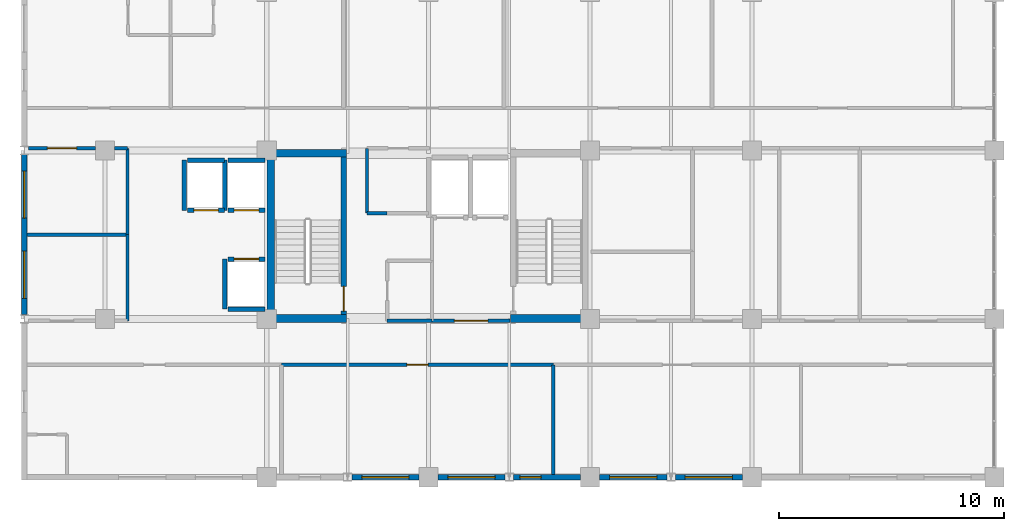
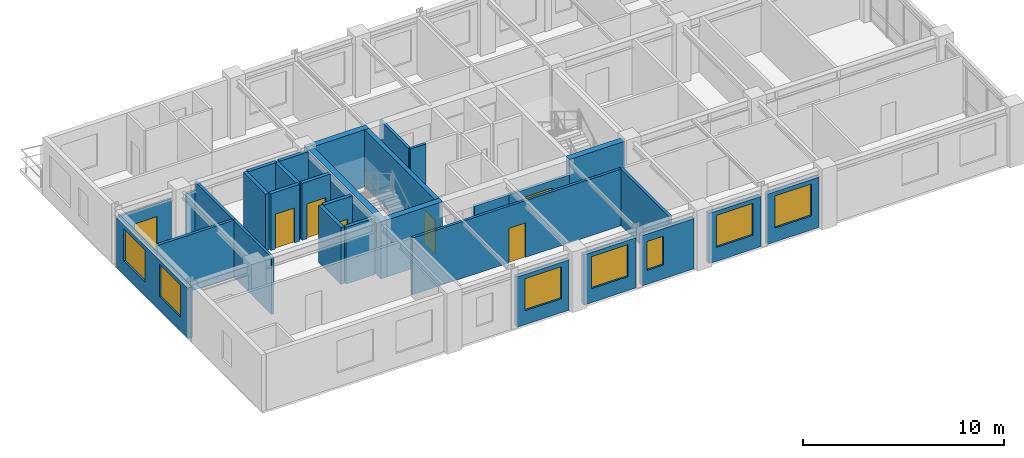
# One storey, part 6 of 11: 31 walls, 7 doors, 7 windows, 14 openings.
"""IFC4 building model written with IfcOpenShell, lengths in metres."""

from ifc_helpers import new_model, si_unit, direction, frame, frame_2d, origin, place, context, subcontext, project, spatial, rectangle, extrude, material, layer, layer_set, type_object, element, fill, save


model = new_model("IFC4")

# Units and contexts
model_context = context("Model", 3, precision=1e-05, world=origin(), true_north=direction((0.0, 1.0)))
body_context = subcontext(model_context, "Body", "Model", "MODEL_VIEW")
ifc_project = project(units=[si_unit("LENGTHUNIT", "METRE"), si_unit("AREAUNIT", "SQUARE_METRE"), si_unit("VOLUMEUNIT", "CUBIC_METRE"), si_unit("PLANEANGLEUNIT", "RADIAN"), si_unit("MASSUNIT", "GRAM", prefix="KILO")], contexts=[model_context])

# Site, building, storey
site_placement = place(None, origin())
site = spatial("IfcSite", under=ifc_project, at=site_placement, CompositionType="ELEMENT")
building_placement = place(site_placement, origin())
building = spatial("IfcBuilding", under=site, at=building_placement, Name="Kaliganga Portal Commons", CompositionType="ELEMENT")
storey_placement = place(building_placement, frame((0.0, 0.0, 268.39990234375)))
storey = spatial("IfcBuildingStorey", under=building, at=storey_placement, Name="L69", CompositionType="ELEMENT", Elevation=268.39990234375)

# Walls
ifc_material_1 = material(Name="Concrete C50/60", Category="concrete")
ifc_layer_1 = layer(ifc_material_1, 0.35009765625)
ifc_layer_set_1 = layer_set([ifc_layer_1], Name="Concrete C50/60")
wall_type_1 = type_object("IfcWallType", Name="WL-CORE-350", PredefinedType="SHEAR", material=ifc_layer_set_1)
wall_1_placement = place(storey_placement, frame((14.574951171875, 28.5, 0.0), z_axis=(0.0, 0.0, 1.0), x_axis=(0.0, 1.0, 0.0)))
element("IfcWall", 1, at=wall_1_placement, inside=storey, type_object=wall_type_1, Name="Core A West Shear Wall L69", PredefinedType="SHEAR", context=body_context, shape_type="SweptSolid", body=[
    extrude(rectangle(XDim=7.699951171875, YDim=0.35009765625, at=frame_2d((3.85009765625, 0.0))), origin(), (0.0, 0.0, 1.0), 3.47509765625),
])
for number, where, z_axis, x_axis, name in (
    (2, (14.75, 28.675048828125, 0.0), (0.0, 0.0, 1.0), (1.0, 0.0, 0.0), "Core A S-West Shear Wall L69"),
    (3, (25.25, 28.675048828125, 0.0), (0.0, 0.0, 1.0), (1.0, 0.0, 0.0), "Core A S-East Shear Wall L69"),
    (4, (14.75, 36.02490234375, 0.0), (0.0, 0.0, 1.0), (1.0, 0.0, 0.0), "Core A N-West Shear Wall L69"),
):
    element("IfcWall", number, at=place(storey_placement, frame(where, z_axis=z_axis, x_axis=x_axis)), inside=storey, type_object=wall_type_1, Name=name, PredefinedType="SHEAR", context=body_context, shape_type="SweptSolid", body=[
        extrude(rectangle(XDim=3.199951171875, YDim=0.35009765625, at=frame_2d((1.60009765625, 0.0))), origin(), (0.0, 0.0, 1.0), 3.47509765625),
    ])

# Wall, opening, window
ifc_material_2 = material(Name="Insulated Aluminium-Clad Spandrel Assembly", Category="aluminium")
ifc_layer_2 = layer(ifc_material_2, 0.260009765625)
ifc_layer_set_2 = layer_set([ifc_layer_2], Name="Insulated Aluminium-Clad Spandrel Assembly")
wall_type_2 = type_object("IfcWallType", Name="WL-EXT-SPAND-260", PredefinedType="STANDARD", material=ifc_layer_set_2)
wall_2_placement = place(storey_placement, frame((21.174072265625, 21.60009765625, 0.0), z_axis=(0.0, 0.0, 1.0), x_axis=(-1.0, 0.0, 0.0)))
wall_2 = element("IfcWall", 5, at=wall_2_placement, inside=storey, type_object=wall_type_2, Name="Exterior Envelope Wall L69 P1-E00-S3", PredefinedType="STANDARD", context=body_context, shape_type="SweptSolid", body=[
    extrude(rectangle(XDim=2.986083984375, YDim=0.260009765625, at=frame_2d((1.4931640625, 0.0))), origin(), (0.0, 0.0, 1.0), 3.05517578125),
])
opening_1_placement = place(wall_2_placement, frame((0.443115234375, 0.0, 0.85009765625)))
opening_1 = element("IfcOpeningElement", 6, at=opening_1_placement, cuts=wall_2, Name="Opening W-06", PredefinedType="OPENING", context=body_context, shape_type="SweptSolid", body=[
    extrude(rectangle(XDim=2.10009765625, YDim=1.949951171875, at=frame_2d((1.050048828125, 0.97509765625))), frame((0.0, 0.14013671875, 0.0), z_axis=(0.0, -1.0, 0.0), x_axis=(1.0, 0.0, 0.0)), (0.0, 0.0, 1.0), 0.280029296875),
])
ifc_material_3 = material(Name="Thermally Broken Aluminium and Low-E Double Glazing", Category="aluminium")
window_type_1 = type_object("IfcWindowType", Name="WIN-PAN-2100", PartitioningType="DOUBLE_PANEL_VERTICAL", PredefinedType="WINDOW", material=ifc_material_3)
window_1_placement = place(opening_1_placement, origin())
window_1 = element("IfcWindow", 7, at=window_1_placement, inside=storey, type_object=window_type_1, Name="Facade Window L69-P1E00S3-00", OverallHeight=1.949951171875, OverallWidth=2.10009765625, PartitioningType="SINGLE_PANEL", PredefinedType="WINDOW", context=body_context, shape_type="SweptSolid", body=[
    extrude(rectangle(XDim=2.10009765625, YDim=1.949951171875, at=frame_2d((1.050048828125, 0.97509765625))), frame((0.0, 0.030029296875, 0.0), z_axis=(0.0, -1.0, 0.0), x_axis=(1.0, 0.0, 0.0)), (0.0, 0.0, 1.0), 0.06005859375),
])
fill(opening_1, window_1)

wall_3_placement = place(storey_placement, frame((25.011962890625, 21.60009765625, 0.0), z_axis=(0.0, 0.0, 1.0), x_axis=(-1.0, 0.0, 0.0)))
wall_3 = element("IfcWall", 8, at=wall_3_placement, inside=storey, type_object=wall_type_2, Name="Exterior Envelope Wall L69 P1-E00-S4", PredefinedType="STANDARD", context=body_context, shape_type="SweptSolid", body=[
    extrude(rectangle(XDim=2.986083984375, YDim=0.260009765625, at=frame_2d((1.4931640625, 0.0))), origin(), (0.0, 0.0, 1.0), 3.05517578125),
])
opening_2_placement = place(wall_3_placement, frame((0.443115234375, 0.0, 0.85009765625)))
opening_2 = element("IfcOpeningElement", 9, at=opening_2_placement, cuts=wall_3, Name="Opening W-06", PredefinedType="OPENING", context=body_context, shape_type="SweptSolid", body=[
    extrude(rectangle(XDim=2.10009765625, YDim=1.949951171875, at=frame_2d((1.050048828125, 0.97509765625))), frame((0.0, 0.14013671875, 0.0), z_axis=(0.0, -1.0, 0.0), x_axis=(1.0, 0.0, 0.0)), (0.0, 0.0, 1.0), 0.280029296875),
])
window_2_placement = place(opening_2_placement, origin())
window_2 = element("IfcWindow", 10, at=window_2_placement, inside=storey, type_object=window_type_1, Name="Facade Window L69-P1E00S4-00", OverallHeight=1.949951171875, OverallWidth=2.10009765625, PartitioningType="SINGLE_PANEL", PredefinedType="WINDOW", context=body_context, shape_type="SweptSolid", body=[
    extrude(rectangle(XDim=2.10009765625, YDim=1.949951171875, at=frame_2d((1.050048828125, 0.97509765625))), frame((0.0, 0.030029296875, 0.0), z_axis=(0.0, -1.0, 0.0), x_axis=(1.0, 0.0, 0.0)), (0.0, 0.0, 1.0), 0.06005859375),
])
fill(opening_2, window_2)

wall_4_placement = place(storey_placement, frame((28.3740234375, 21.60009765625, 0.0), z_axis=(0.0, 0.0, 1.0), x_axis=(-1.0, 0.0, 0.0)))
wall_4 = element("IfcWall", 11, at=wall_4_placement, inside=storey, type_object=wall_type_2, Name="Exterior Envelope Wall L69 P1-E00-S5", PredefinedType="STANDARD", context=body_context, shape_type="SweptSolid", body=[
    extrude(rectangle(XDim=2.986083984375, YDim=0.260009765625, at=frame_2d((1.4931640625, 0.0))), origin(), (0.0, 0.0, 1.0), 3.05517578125),
])
opening_3_placement = place(wall_4_placement, frame((1.758544921875, 0.0, 0.85009765625)))
opening_3 = element("IfcOpeningElement", 12, at=opening_3_placement, cuts=wall_4, Name="Opening W-04", PredefinedType="OPENING", context=body_context, shape_type="SweptSolid", body=[
    extrude(rectangle(XDim=0.949951171875, YDim=1.75, at=frame_2d((0.47509765625, 0.875))), frame((0.0, 0.14013671875, 0.0), z_axis=(0.0, -1.0, 0.0), x_axis=(1.0, 0.0, 0.0)), (0.0, 0.0, 1.0), 0.280029296875),
])
window_type_2 = type_object("IfcWindowType", Name="WIN-NARROW-950", PartitioningType="SINGLE_PANEL", PredefinedType="WINDOW", material=ifc_material_3)
window_3_placement = place(opening_3_placement, origin())
window_3 = element("IfcWindow", 13, at=window_3_placement, inside=storey, type_object=window_type_2, Name="Facade Window L69-P1E00S5-N2", OverallHeight=1.75, OverallWidth=0.949951171875, PartitioningType="SINGLE_PANEL", PredefinedType="WINDOW", context=body_context, shape_type="SweptSolid", body=[
    extrude(rectangle(XDim=0.949951171875, YDim=1.75, at=frame_2d((0.47509765625, 0.875))), frame((0.0, 0.030029296875, 0.0), z_axis=(0.0, -1.0, 0.0), x_axis=(1.0, 0.0, 0.0)), (0.0, 0.0, 1.0), 0.06005859375),
])
fill(opening_3, window_3)

wall_5_placement = place(storey_placement, frame((32.2119140625, 21.60009765625, 0.0), z_axis=(0.0, 0.0, 1.0), x_axis=(-1.0, 0.0, 0.0)))
wall_5 = element("IfcWall", 14, at=wall_5_placement, inside=storey, type_object=wall_type_2, Name="Exterior Envelope Wall L69 P1-E00-S6", PredefinedType="STANDARD", context=body_context, shape_type="SweptSolid", body=[
    extrude(rectangle(XDim=2.98583984375, YDim=0.260009765625, at=frame_2d((1.492919921875, 0.0))), origin(), (0.0, 0.0, 1.0), 3.05517578125),
])
opening_4_placement = place(wall_5_placement, frame((0.443115234375, 0.0, 0.85009765625)))
opening_4 = element("IfcOpeningElement", 15, at=opening_4_placement, cuts=wall_5, Name="Opening W-06", PredefinedType="OPENING", context=body_context, shape_type="SweptSolid", body=[
    extrude(rectangle(XDim=2.10009765625, YDim=1.949951171875, at=frame_2d((1.050048828125, 0.97509765625))), frame((0.0, 0.14013671875, 0.0), z_axis=(0.0, -1.0, 0.0), x_axis=(1.0, 0.0, 0.0)), (0.0, 0.0, 1.0), 0.280029296875),
])
window_4_placement = place(opening_4_placement, origin())
window_4 = element("IfcWindow", 16, at=window_4_placement, inside=storey, type_object=window_type_1, Name="Facade Window L69-P1E00S6-00", OverallHeight=1.949951171875, OverallWidth=2.10009765625, PartitioningType="SINGLE_PANEL", PredefinedType="WINDOW", context=body_context, shape_type="SweptSolid", body=[
    extrude(rectangle(XDim=2.10009765625, YDim=1.949951171875, at=frame_2d((1.050048828125, 0.97509765625))), frame((0.0, 0.030029296875, 0.0), z_axis=(0.0, -1.0, 0.0), x_axis=(1.0, 0.0, 0.0)), (0.0, 0.0, 1.0), 0.06005859375),
])
fill(opening_4, window_4)

wall_6_placement = place(storey_placement, frame((35.573974609375, 21.60009765625, 0.0), z_axis=(0.0, 0.0, 1.0), x_axis=(-1.0, 0.0, 0.0)))
wall_6 = element("IfcWall", 17, at=wall_6_placement, inside=storey, type_object=wall_type_2, Name="Exterior Envelope Wall L69 P1-E00-S7", PredefinedType="STANDARD", context=body_context, shape_type="SweptSolid", body=[
    extrude(rectangle(XDim=2.986083984375, YDim=0.260009765625, at=frame_2d((1.4931640625, 0.0))), origin(), (0.0, 0.0, 1.0), 3.05517578125),
])
opening_5_placement = place(wall_6_placement, frame((0.443115234375, 0.0, 0.85009765625)))
opening_5 = element("IfcOpeningElement", 18, at=opening_5_placement, cuts=wall_6, Name="Opening W-06", PredefinedType="OPENING", context=body_context, shape_type="SweptSolid", body=[
    extrude(rectangle(XDim=2.10009765625, YDim=1.949951171875, at=frame_2d((1.050048828125, 0.97509765625))), frame((0.0, 0.14013671875, 0.0), z_axis=(0.0, -1.0, 0.0), x_axis=(1.0, 0.0, 0.0)), (0.0, 0.0, 1.0), 0.280029296875),
])
window_5_placement = place(opening_5_placement, origin())
window_5 = element("IfcWindow", 19, at=window_5_placement, inside=storey, type_object=window_type_1, Name="Facade Window L69-P1E00S7-00", OverallHeight=1.949951171875, OverallWidth=2.10009765625, PartitioningType="SINGLE_PANEL", PredefinedType="WINDOW", context=body_context, shape_type="SweptSolid", body=[
    extrude(rectangle(XDim=2.10009765625, YDim=1.949951171875, at=frame_2d((1.050048828125, 0.97509765625))), frame((0.0, 0.030029296875, 0.0), z_axis=(0.0, -1.0, 0.0), x_axis=(1.0, 0.0, 0.0)), (0.0, 0.0, 1.0), 0.06005859375),
])
fill(opening_5, window_5)

# Wall, openings, windows
wall_7_placement = place(storey_placement, frame((3.60009765625, 28.8369140625, 0.0), z_axis=(0.0, 0.0, 1.0), x_axis=(0.0, 1.0, 0.0)))
wall_7 = element("IfcWall", 20, at=wall_7_placement, inside=storey, type_object=wall_type_2, Name="Exterior Envelope Wall L69 P1-E03-S2", PredefinedType="STANDARD", context=body_context, shape_type="SweptSolid", body=[
    extrude(rectangle(XDim=7.1259765625, YDim=0.260009765625, at=frame_2d((3.56298828125, 0.0))), origin(), (0.0, 0.0, 1.0), 3.05517578125),
])
opening_6_placement = place(wall_7_placement, frame((0.7314453125, 0.0, 0.85009765625)))
opening_6 = element("IfcOpeningElement", 21, at=opening_6_placement, cuts=wall_7, Name="Opening W-06", PredefinedType="OPENING", context=body_context, shape_type="SweptSolid", body=[
    extrude(rectangle(XDim=2.10009765625, YDim=1.949951171875, at=frame_2d((1.050048828125, 0.97509765625))), frame((0.0, 0.14013671875, 0.0), z_axis=(0.0, -1.0, 0.0), x_axis=(1.0, 0.0, 0.0)), (0.0, 0.0, 1.0), 0.280029296875),
])
opening_7_placement = place(wall_7_placement, frame((4.29443359375, 0.0, 0.85009765625)))
opening_7 = element("IfcOpeningElement", 22, at=opening_7_placement, cuts=wall_7, Name="Opening W-06", PredefinedType="OPENING", context=body_context, shape_type="SweptSolid", body=[
    extrude(rectangle(XDim=2.10009765625, YDim=1.949951171875, at=frame_2d((1.050048828125, 0.97509765625))), frame((0.0, 0.14013671875, 0.0), z_axis=(0.0, -1.0, 0.0), x_axis=(1.0, 0.0, 0.0)), (0.0, 0.0, 1.0), 0.280029296875),
])
window_6_placement = place(opening_6_placement, origin())
window_6 = element("IfcWindow", 23, at=window_6_placement, inside=storey, type_object=window_type_1, Name="Facade Window L69-P1E03S2-00", OverallHeight=1.949951171875, OverallWidth=2.10009765625, PartitioningType="SINGLE_PANEL", PredefinedType="WINDOW", context=body_context, shape_type="SweptSolid", body=[
    extrude(rectangle(XDim=2.10009765625, YDim=1.949951171875, at=frame_2d((1.050048828125, 0.97509765625))), frame((0.0, 0.030029296875, 0.0), z_axis=(0.0, -1.0, 0.0), x_axis=(1.0, 0.0, 0.0)), (0.0, 0.0, 1.0), 0.06005859375),
])
fill(opening_6, window_6)
window_7_placement = place(opening_7_placement, origin())
window_7 = element("IfcWindow", 24, at=window_7_placement, inside=storey, type_object=window_type_1, Name="Facade Window L69-P1E03S2-01", OverallHeight=1.949951171875, OverallWidth=2.10009765625, PartitioningType="SINGLE_PANEL", PredefinedType="WINDOW", context=body_context, shape_type="SweptSolid", body=[
    extrude(rectangle(XDim=2.10009765625, YDim=1.949951171875, at=frame_2d((1.050048828125, 0.97509765625))), frame((0.0, 0.030029296875, 0.0), z_axis=(0.0, -1.0, 0.0), x_axis=(1.0, 0.0, 0.0)), (0.0, 0.0, 1.0), 0.06005859375),
])
fill(opening_7, window_7)

# Wall, opening, door
ifc_material_4 = material(Name="Fire-Rated Gypsum Board on Steel Stud", Category="steel")
ifc_layer_3 = layer(ifc_material_4, 0.14990234375)
ifc_layer_set_3 = layer_set([ifc_layer_3], Name="Fire-Rated Gypsum Board on Steel Stud")
wall_type_3 = type_object("IfcWallType", Name="WL-PART-CORR-150", PredefinedType="PARTITIONING", material=ifc_layer_set_3)
wall_8_placement = place(storey_placement, frame((15.06005859375, 26.60009765625, 0.0), z_axis=(0.0, 0.0, 1.0), x_axis=(1.0, 0.0, 0.0)))
wall_8 = element("IfcWall", 25, at=wall_8_placement, inside=storey, type_object=wall_type_3, Name="Interior Partition L69-008", PredefinedType="PARTITIONING", context=body_context, shape_type="SweptSolid", body=[
    extrude(rectangle(XDim=12.099853515625, YDim=0.14990234375, at=frame_2d((6.0498046875, 0.0))), origin(), (0.0, 0.0, 1.0), 3.455078125),
])
opening_8_placement = place(wall_8_placement, frame((5.574951171875, 0.0, 0.0)))
opening_8 = element("IfcOpeningElement", 26, at=opening_8_placement, cuts=wall_8, Name="Opening UD-01", PredefinedType="OPENING", context=body_context, shape_type="SweptSolid", body=[
    extrude(rectangle(XDim=0.949951171875, YDim=2.10009765625, at=frame_2d((0.47509765625, 1.050048828125))), frame((0.0, 0.0849609375, 0.0), z_axis=(0.0, -1.0, 0.0), x_axis=(1.0, 0.0, 0.0)), (0.0, 0.0, 1.0), 0.169921875),
])
ifc_material_5 = material(Name="Solid-Core Timber Acoustic Fire Door", Category="wood")
door_type_1 = type_object("IfcDoorType", Name="DR-UNIT-950", OperationType="NOTDEFINED", PredefinedType="DOOR", material=ifc_material_5)
door_1_placement = place(opening_8_placement, origin())
door_1 = element("IfcDoor", 27, at=door_1_placement, inside=storey, type_object=door_type_1, Name="Interior Door L69-AS02", OperationType="SINGLE_SWING_LEFT", OverallHeight=2.10009765625, OverallWidth=0.949951171875, PredefinedType="DOOR", context=body_context, shape_type="SweptSolid", body=[
    extrude(rectangle(XDim=0.949951171875, YDim=2.10009765625, at=frame_2d((0.47509765625, 1.050048828125))), frame((0.0, 0.02490234375, 0.0), z_axis=(0.0, -1.0, 0.0), x_axis=(1.0, 0.0, 0.0)), (0.0, 0.0, 1.0), 0.050048828125),
])
fill(opening_8, door_1)

wall_9_placement = place(storey_placement, frame((3.787109375, 36.239990234375, 0.0), z_axis=(0.0, 0.0, 1.0), x_axis=(1.0, 0.0, 0.0)))
wall_9 = element("IfcWall", 28, at=wall_9_placement, inside=storey, type_object=wall_type_3, Name="Interior Partition L69-021", PredefinedType="PARTITIONING", context=body_context, shape_type="SweptSolid", body=[
    extrude(rectangle(XDim=2.98779296875, YDim=0.14990234375, at=frame_2d((1.493896484375, 0.0))), origin(), (0.0, 0.0, 1.0), 2.905029296875),
])
opening_9_placement = place(wall_9_placement, frame((0.843994140625, 0.0, 0.0)))
opening_9 = element("IfcOpeningElement", 29, at=opening_9_placement, cuts=wall_9, Name="Opening RD-03", PredefinedType="OPENING", context=body_context, shape_type="SweptSolid", body=[
    extrude(rectangle(XDim=1.300048828125, YDim=2.1201171875, at=frame_2d((0.64990234375, 1.06005859375))), frame((0.0, 0.0849609375, 0.0), z_axis=(0.0, -1.0, 0.0), x_axis=(1.0, 0.0, 0.0)), (0.0, 0.0, 1.0), 0.169921875),
])
ifc_material_6 = material(Name="Glazed Timber Seminar Vision Door", Category="wood")
door_type_2 = type_object("IfcDoorType", Name="DR-STUDY-1300", OperationType="DOUBLE_DOOR_SINGLE_SWING", PredefinedType="DOOR", material=ifc_material_6)
door_2_placement = place(opening_9_placement, origin())
door_2 = element("IfcDoor", 30, at=door_2_placement, inside=storey, type_object=door_type_2, Name="Interior Door L69-AW02", OperationType="DOUBLE_DOOR_SINGLE_SWING", OverallHeight=2.1201171875, OverallWidth=1.300048828125, PredefinedType="DOOR", context=body_context, shape_type="SweptSolid", body=[
    extrude(rectangle(XDim=1.300048828125, YDim=2.1201171875, at=frame_2d((0.64990234375, 1.06005859375))), frame((0.0, 0.02490234375, 0.0), z_axis=(0.0, -1.0, 0.0), x_axis=(1.0, 0.0, 0.0)), (0.0, 0.0, 1.0), 0.050048828125),
])
fill(opening_9, door_2)

# Walls
wall_10_placement = place(storey_placement, frame((7.625, 36.239990234375, 0.0), z_axis=(0.0, 0.0, 1.0), x_axis=(1.0, 0.0, 0.0)))
element("IfcWall", 31, at=wall_10_placement, inside=storey, type_object=wall_type_3, Name="Interior Partition L69-022", PredefinedType="PARTITIONING", context=body_context, shape_type="SweptSolid", body=[
    extrude(rectangle(XDim=0.574951171875, YDim=0.14990234375, at=frame_2d((0.28759765625, 0.0))), origin(), (0.0, 0.0, 1.0), 2.905029296875),
])
wall_11_placement = place(storey_placement, frame((8.199951171875, 32.39990234375, 0.0), z_axis=(0.0, 0.0, 1.0), x_axis=(0.0, 1.0, 0.0)))
element("IfcWall", 32, at=wall_11_placement, inside=storey, type_object=wall_type_3, Name="Interior Partition L69-029", PredefinedType="PARTITIONING", context=body_context, shape_type="SweptSolid", body=[
    extrude(rectangle(XDim=3.840087890625, YDim=0.14990234375, at=frame_2d((1.919921875, 0.0))), origin(), (0.0, 0.0, 1.0), 3.455078125),
])
wall_12_placement = place(storey_placement, frame((8.199951171875, 28.56005859375, 0.0), z_axis=(0.0, 0.0, 1.0), x_axis=(0.0, 1.0, 0.0)))
element("IfcWall", 33, at=wall_12_placement, inside=storey, type_object=wall_type_3, Name="Interior Partition L69-030", PredefinedType="PARTITIONING", context=body_context, shape_type="SweptSolid", body=[
    extrude(rectangle(XDim=3.83984375, YDim=0.14990234375, at=frame_2d((1.919921875, 0.0))), origin(), (0.0, 0.0, 1.0), 3.455078125),
])
wall_13_placement = place(storey_placement, frame((18.860107421875, 33.360107421875, 0.0), z_axis=(0.0, 0.0, 1.0), x_axis=(0.0, 1.0, 0.0)))
element("IfcWall", 34, at=wall_13_placement, inside=storey, type_object=wall_type_3, Name="Interior Partition L69-033", PredefinedType="PARTITIONING", context=body_context, shape_type="SweptSolid", body=[
    extrude(rectangle(XDim=2.8798828125, YDim=0.14990234375, at=frame_2d((1.43994140625, 0.0))), origin(), (0.0, 0.0, 1.0), 3.455078125),
])
wall_14_placement = place(storey_placement, frame((19.760009765625, 28.56005859375, 0.0), z_axis=(0.0, 0.0, 1.0), x_axis=(1.0, 0.0, 0.0)))
element("IfcWall", 35, at=wall_14_placement, inside=storey, type_object=wall_type_3, Name="Interior Partition L69-037", PredefinedType="PARTITIONING", context=body_context, shape_type="SweptSolid", body=[
    extrude(rectangle(XDim=2.0, YDim=0.14990234375, at=frame_2d((1.0, 0.0))), origin(), (0.0, 0.0, 1.0), 2.55517578125),
])
wall_15_placement = place(storey_placement, frame((18.860107421875, 33.360107421875, 0.0), z_axis=(0.0, 0.0, 1.0), x_axis=(1.0, 0.0, 0.0)))
element("IfcWall", 36, at=wall_15_placement, inside=storey, type_object=wall_type_3, Name="Interior Partition L69-041", PredefinedType="PARTITIONING", context=body_context, shape_type="SweptSolid", body=[
    extrude(rectangle(XDim=0.89990234375, YDim=0.14990234375, at=frame_2d((0.449951171875, 0.0))), origin(), (0.0, 0.0, 1.0), 3.455078125),
])

# Wall, opening, door
wall_16_placement = place(storey_placement, frame((21.760009765625, 28.56005859375, 0.0), z_axis=(0.0, 0.0, 1.0), x_axis=(1.0, 0.0, 0.0)))
wall_16 = element("IfcWall", 37, at=wall_16_placement, inside=storey, type_object=wall_type_3, Name="Interior Partition L69-054", PredefinedType="PARTITIONING", context=body_context, shape_type="SweptSolid", body=[
    extrude(rectangle(XDim=3.47998046875, YDim=0.14990234375, at=frame_2d((1.739990234375, 0.0))), origin(), (0.0, 0.0, 1.0), 2.55517578125),
])
opening_10_placement = place(wall_16_placement, frame((0.989990234375, 0.0, 0.0)))
opening_10 = element("IfcOpeningElement", 38, at=opening_10_placement, cuts=wall_16, Name="Opening FD-01", PredefinedType="OPENING", context=body_context, shape_type="SweptSolid", body=[
    extrude(rectangle(XDim=1.5, YDim=2.10009765625, at=frame_2d((0.75, 1.050048828125))), frame((0.0, 0.0849609375, 0.0), z_axis=(0.0, -1.0, 0.0), x_axis=(1.0, 0.0, 0.0)), (0.0, 0.0, 1.0), 0.169921875),
])
ifc_material_7 = material(Name="Fire-Rated Hardwood and Georgian-Wired Vision Panel", Category="wood")
door_type_3 = type_object("IfcDoorType", Name="DR-LOBBY-1500", OperationType="DOUBLE_DOOR_SINGLE_SWING", PredefinedType="DOOR", material=ifc_material_7)
door_3_placement = place(opening_10_placement, origin())
door_3 = element("IfcDoor", 39, at=door_3_placement, inside=storey, type_object=door_type_3, Name="Interior Door L69-FFLOB_A", OperationType="DOUBLE_DOOR_SINGLE_SWING", OverallHeight=2.10009765625, OverallWidth=1.5, PredefinedType="DOOR", context=body_context, shape_type="SweptSolid", body=[
    extrude(rectangle(XDim=1.5, YDim=2.10009765625, at=frame_2d((0.75, 1.050048828125))), frame((0.0, 0.02490234375, 0.0), z_axis=(0.0, -1.0, 0.0), x_axis=(1.0, 0.0, 0.0)), (0.0, 0.0, 1.0), 0.050048828125),
])
fill(opening_10, door_3)

# Walls
ifc_material_8 = material(Name="Twin-Stud Acoustic Gypsum Partition", Category="gypsum")
ifc_layer_4 = layer(ifc_material_8, 0.1650390625)
ifc_layer_set_4 = layer_set([ifc_layer_4], Name="Twin-Stud Acoustic Gypsum Partition")
wall_type_4 = type_object("IfcWallType", Name="WL-PART-UNIT-165", PredefinedType="PARTITIONING", material=ifc_layer_set_4)
wall_17_placement = place(storey_placement, frame((27.159912109375, 21.73193359375, 0.0), z_axis=(0.0, 0.0, 1.0), x_axis=(0.0, 1.0, 0.0)))
element("IfcWall", 40, at=wall_17_placement, inside=storey, type_object=wall_type_4, Name="Interior Partition L69-049", PredefinedType="PARTITIONING", context=body_context, shape_type="SweptSolid", body=[
    extrude(rectangle(XDim=4.8681640625, YDim=0.1650390625, at=frame_2d((2.43408203125, 0.0))), origin(), (0.0, 0.0, 1.0), 3.455078125),
])
wall_18_placement = place(storey_placement, frame((3.73193359375, 32.39990234375, 0.0), z_axis=(0.0, 0.0, 1.0), x_axis=(1.0, 0.0, 0.0)))
element("IfcWall", 41, at=wall_18_placement, inside=storey, type_object=wall_type_4, Name="Interior Partition L69-052", PredefinedType="PARTITIONING", context=body_context, shape_type="SweptSolid", body=[
    extrude(rectangle(XDim=4.468017578125, YDim=0.1650390625, at=frame_2d((2.23388671875, 0.0))), origin(), (0.0, 0.0, 1.0), 3.455078125),
])

# Wall, opening, door
ifc_material_9 = material(Name="Fire-Rated Shaftwall Masonry Assembly", Category="masonry")
ifc_layer_5 = layer(ifc_material_9, 0.199951171875)
ifc_layer_set_5 = layer_set([ifc_layer_5], Name="Fire-Rated Shaftwall Masonry Assembly")
wall_type_5 = type_object("IfcWallType", Name="WL-SHAFT-200", PredefinedType="PARTITIONING", material=ifc_layer_set_5)
wall_19_placement = place(storey_placement, frame((12.675048828125, 33.485107421875, 0.0), z_axis=(0.0, 0.0, 1.0), x_axis=(1.0, 0.0, 0.0)))
wall_19 = element("IfcWall", 42, at=wall_19_placement, inside=storey, type_object=wall_type_5, Name="Lift PL-A3 Hoistway Shaft Wall L69-S", PredefinedType="PARTITIONING", context=body_context, shape_type="SweptSolid", body=[
    extrude(rectangle(XDim=1.64990234375, YDim=0.199951171875, at=frame_2d((0.824951171875, 0.0))), origin(), (0.0, 0.0, 1.0), 3.455078125),
])
opening_11_placement = place(wall_19_placement, frame((0.27490234375, 0.0, 0.0)))
opening_11 = element("IfcOpeningElement", 43, at=opening_11_placement, cuts=wall_19, Name="Opening LD-01", PredefinedType="OPENING", context=body_context, shape_type="SweptSolid", body=[
    extrude(rectangle(XDim=1.10009765625, YDim=2.1201171875, at=frame_2d((0.550048828125, 1.06005859375))), frame((0.0, 0.10986328125, 0.0), z_axis=(0.0, -1.0, 0.0), x_axis=(1.0, 0.0, 0.0)), (0.0, 0.0, 1.0), 0.219970703125),
])
ifc_material_10 = material(Name="Brushed Stainless Steel 316 Lift Landing Door", Category="steel")
door_type_4 = type_object("IfcDoorType", Name="DR-LIFT-1100", OperationType="SLIDING_TO_LEFT", PredefinedType="DOOR", material=ifc_material_10)
door_4_placement = place(opening_11_placement, origin())
door_4 = element("IfcDoor", 44, at=door_4_placement, inside=storey, type_object=door_type_4, Name="Lift PL-A3 Sliding Landing Door L69", OperationType="SLIDING_TO_LEFT", OverallHeight=2.1201171875, OverallWidth=1.10009765625, PredefinedType="DOOR", context=body_context, shape_type="SweptSolid", body=[
    extrude(rectangle(XDim=1.10009765625, YDim=2.1201171875, at=frame_2d((0.550048828125, 1.06005859375))), frame((0.0, 0.02490234375, 0.0), z_axis=(0.0, -1.0, 0.0), x_axis=(1.0, 0.0, 0.0)), (0.0, 0.0, 1.0), 0.050048828125),
])
fill(opening_11, door_4)

# Walls
wall_20_placement = place(storey_placement, frame((12.675048828125, 35.715087890625, 0.0), z_axis=(0.0, 0.0, 1.0), x_axis=(1.0, 0.0, 0.0)))
element("IfcWall", 45, at=wall_20_placement, inside=storey, type_object=wall_type_5, Name="Lift PL-A3 Hoistway Shaft Wall L69-N", PredefinedType="PARTITIONING", context=body_context, shape_type="SweptSolid", body=[
    extrude(rectangle(XDim=1.64990234375, YDim=0.199951171875, at=frame_2d((0.824951171875, 0.0))), origin(), (0.0, 0.0, 1.0), 3.455078125),
])
wall_21_placement = place(storey_placement, frame((12.534912109375, 33.485107421875, 0.0), z_axis=(0.0, 0.0, 1.0), x_axis=(0.0, 1.0, 0.0)))
element("IfcWall", 46, at=wall_21_placement, inside=storey, type_object=wall_type_5, Name="Lift PL-A3 Hoistway Shaft Wall L69-W", PredefinedType="PARTITIONING", context=body_context, shape_type="SweptSolid", body=[
    extrude(rectangle(XDim=2.22998046875, YDim=0.199951171875, at=frame_2d((1.114990234375, 0.0))), origin(), (0.0, 0.0, 1.0), 3.455078125),
])
wall_22_placement = place(storey_placement, frame((12.675048828125, 29.0849609375, 0.0), z_axis=(0.0, 0.0, 1.0), x_axis=(1.0, 0.0, 0.0)))
element("IfcWall", 47, at=wall_22_placement, inside=storey, type_object=wall_type_5, Name="Lift PL-A4 Hoistway Shaft Wall L69-S", PredefinedType="PARTITIONING", context=body_context, shape_type="SweptSolid", body=[
    extrude(rectangle(XDim=1.64990234375, YDim=0.199951171875, at=frame_2d((0.824951171875, 0.0))), origin(), (0.0, 0.0, 1.0), 3.455078125),
])

# Wall, opening, door
wall_23_placement = place(storey_placement, frame((12.675048828125, 31.31494140625, 0.0), z_axis=(0.0, 0.0, 1.0), x_axis=(1.0, 0.0, 0.0)))
wall_23 = element("IfcWall", 48, at=wall_23_placement, inside=storey, type_object=wall_type_5, Name="Lift PL-A4 Hoistway Shaft Wall L69-N", PredefinedType="PARTITIONING", context=body_context, shape_type="SweptSolid", body=[
    extrude(rectangle(XDim=1.64990234375, YDim=0.199951171875, at=frame_2d((0.824951171875, 0.0))), origin(), (0.0, 0.0, 1.0), 3.455078125),
])
opening_12_placement = place(wall_23_placement, frame((0.27490234375, 0.0, 0.0)))
opening_12 = element("IfcOpeningElement", 49, at=opening_12_placement, cuts=wall_23, Name="Opening LD-01", PredefinedType="OPENING", context=body_context, shape_type="SweptSolid", body=[
    extrude(rectangle(XDim=1.10009765625, YDim=2.1201171875, at=frame_2d((0.550048828125, 1.06005859375))), frame((0.0, 0.10986328125, 0.0), z_axis=(0.0, -1.0, 0.0), x_axis=(1.0, 0.0, 0.0)), (0.0, 0.0, 1.0), 0.219970703125),
])
door_5_placement = place(opening_12_placement, origin())
door_5 = element("IfcDoor", 50, at=door_5_placement, inside=storey, type_object=door_type_4, Name="Lift PL-A4 Sliding Landing Door L69", OperationType="SLIDING_TO_LEFT", OverallHeight=2.1201171875, OverallWidth=1.10009765625, PredefinedType="DOOR", context=body_context, shape_type="SweptSolid", body=[
    extrude(rectangle(XDim=1.10009765625, YDim=2.1201171875, at=frame_2d((0.550048828125, 1.06005859375))), frame((0.0, 0.02490234375, 0.0), z_axis=(0.0, -1.0, 0.0), x_axis=(1.0, 0.0, 0.0)), (0.0, 0.0, 1.0), 0.050048828125),
])
fill(opening_12, door_5)

# Wall
wall_24_placement = place(storey_placement, frame((12.534912109375, 29.0849609375, 0.0), z_axis=(0.0, 0.0, 1.0), x_axis=(0.0, 1.0, 0.0)))
element("IfcWall", 51, at=wall_24_placement, inside=storey, type_object=wall_type_5, Name="Lift PL-A4 Hoistway Shaft Wall L69-W", PredefinedType="PARTITIONING", context=body_context, shape_type="SweptSolid", body=[
    extrude(rectangle(XDim=2.22998046875, YDim=0.199951171875, at=frame_2d((1.114990234375, 0.0))), origin(), (0.0, 0.0, 1.0), 3.455078125),
])

# Wall, opening, door
wall_25_placement = place(storey_placement, frame((10.875, 33.485107421875, 0.0), z_axis=(0.0, 0.0, 1.0), x_axis=(1.0, 0.0, 0.0)))
wall_25 = element("IfcWall", 52, at=wall_25_placement, inside=storey, type_object=wall_type_5, Name="Lift PL-OBS Hoistway Shaft Wall L69-S", PredefinedType="PARTITIONING", context=body_context, shape_type="SweptSolid", body=[
    extrude(rectangle(XDim=1.64990234375, YDim=0.199951171875, at=frame_2d((0.824951171875, 0.0))), origin(), (0.0, 0.0, 1.0), 3.455078125),
])
opening_13_placement = place(wall_25_placement, frame((0.27490234375, 0.0, 0.0)))
opening_13 = element("IfcOpeningElement", 53, at=opening_13_placement, cuts=wall_25, Name="Opening LD-01", PredefinedType="OPENING", context=body_context, shape_type="SweptSolid", body=[
    extrude(rectangle(XDim=1.10009765625, YDim=2.1201171875, at=frame_2d((0.550048828125, 1.06005859375))), frame((0.0, 0.10986328125, 0.0), z_axis=(0.0, -1.0, 0.0), x_axis=(1.0, 0.0, 0.0)), (0.0, 0.0, 1.0), 0.219970703125),
])
door_6_placement = place(opening_13_placement, origin())
door_6 = element("IfcDoor", 54, at=door_6_placement, inside=storey, type_object=door_type_4, Name="Lift PL-OBS Sliding Landing Door L69", OperationType="SLIDING_TO_LEFT", OverallHeight=2.1201171875, OverallWidth=1.10009765625, PredefinedType="DOOR", context=body_context, shape_type="SweptSolid", body=[
    extrude(rectangle(XDim=1.10009765625, YDim=2.1201171875, at=frame_2d((0.550048828125, 1.06005859375))), frame((0.0, 0.02490234375, 0.0), z_axis=(0.0, -1.0, 0.0), x_axis=(1.0, 0.0, 0.0)), (0.0, 0.0, 1.0), 0.050048828125),
])
fill(opening_13, door_6)

# Walls
wall_26_placement = place(storey_placement, frame((10.875, 35.715087890625, 0.0), z_axis=(0.0, 0.0, 1.0), x_axis=(1.0, 0.0, 0.0)))
element("IfcWall", 55, at=wall_26_placement, inside=storey, type_object=wall_type_5, Name="Lift PL-OBS Hoistway Shaft Wall L69-N", PredefinedType="PARTITIONING", context=body_context, shape_type="SweptSolid", body=[
    extrude(rectangle(XDim=1.64990234375, YDim=0.199951171875, at=frame_2d((0.824951171875, 0.0))), origin(), (0.0, 0.0, 1.0), 3.455078125),
])
wall_27_placement = place(storey_placement, frame((10.735107421875, 33.485107421875, 0.0), z_axis=(0.0, 0.0, 1.0), x_axis=(0.0, 1.0, 0.0)))
element("IfcWall", 56, at=wall_27_placement, inside=storey, type_object=wall_type_5, Name="Lift PL-OBS Hoistway Shaft Wall L69-W", PredefinedType="PARTITIONING", context=body_context, shape_type="SweptSolid", body=[
    extrude(rectangle(XDim=2.22998046875, YDim=0.199951171875, at=frame_2d((1.114990234375, 0.0))), origin(), (0.0, 0.0, 1.0), 3.455078125),
])

# Wall, opening, door
ifc_layer_6 = layer(ifc_material_1, 0.25)
ifc_layer_set_6 = layer_set([ifc_layer_6], Name="Concrete C50/60")
wall_type_6 = type_object("IfcWallType", Name="WL-STAIR-250", PredefinedType="SHEAR", material=ifc_layer_set_6)
wall_28_placement = place(storey_placement, frame((17.824951171875, 28.85009765625, 0.0), z_axis=(0.0, 0.0, 1.0), x_axis=(0.0, 1.0, 0.0)))
wall_28 = element("IfcWall", 57, at=wall_28_placement, inside=storey, type_object=wall_type_6, Name="Stair A1 Enclosure Shear Wall L69", PredefinedType="SHEAR", context=body_context, shape_type="SweptSolid", body=[
    extrude(rectangle(XDim=7.0, YDim=0.25, at=frame_2d((3.5, 0.0))), origin(), (0.0, 0.0, 1.0), 3.47509765625),
])
opening_14_placement = place(wall_28_placement, frame((0.14990234375, 0.0, 0.0)))
opening_14 = element("IfcOpeningElement", 58, at=opening_14_placement, cuts=wall_28, Name="Opening SD-01", PredefinedType="OPENING", context=body_context, shape_type="SweptSolid", body=[
    extrude(rectangle(XDim=1.10009765625, YDim=2.080078125, at=frame_2d((0.550048828125, 1.0400390625))), frame((0.0, 0.135009765625, 0.0), z_axis=(0.0, -1.0, 0.0), x_axis=(1.0, 0.0, 0.0)), (0.0, 0.0, 1.0), 0.27001953125),
])
ifc_material_11 = material(Name="Galvanized Steel Fire Door Leaf and Frame", Category="steel")
door_type_5 = type_object("IfcDoorType", Name="DR-STAIR-1100", OperationType="NOTDEFINED", PredefinedType="DOOR", material=ifc_material_11)
door_7_placement = place(opening_14_placement, origin())
door_7 = element("IfcDoor", 59, at=door_7_placement, inside=storey, type_object=door_type_5, Name="Protected Stair ST-A1 Fire Door L69", OperationType="SINGLE_SWING_LEFT", OverallHeight=2.080078125, OverallWidth=1.10009765625, PredefinedType="DOOR", context=body_context, shape_type="SweptSolid", body=[
    extrude(rectangle(XDim=1.10009765625, YDim=2.080078125, at=frame_2d((0.550048828125, 1.0400390625))), frame((0.0, 0.02490234375, 0.0), z_axis=(0.0, -1.0, 0.0), x_axis=(1.0, 0.0, 0.0)), (0.0, 0.0, 1.0), 0.050048828125),
])
fill(opening_14, door_7)

save(model, "model.ifc")
